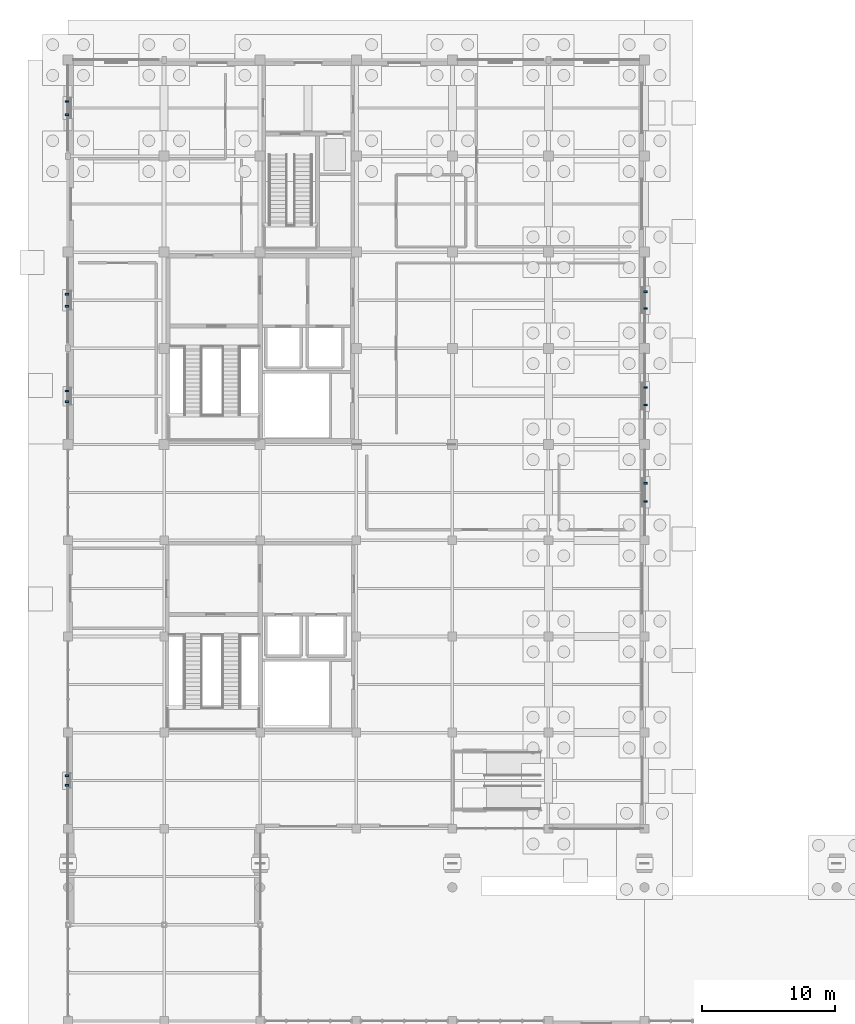
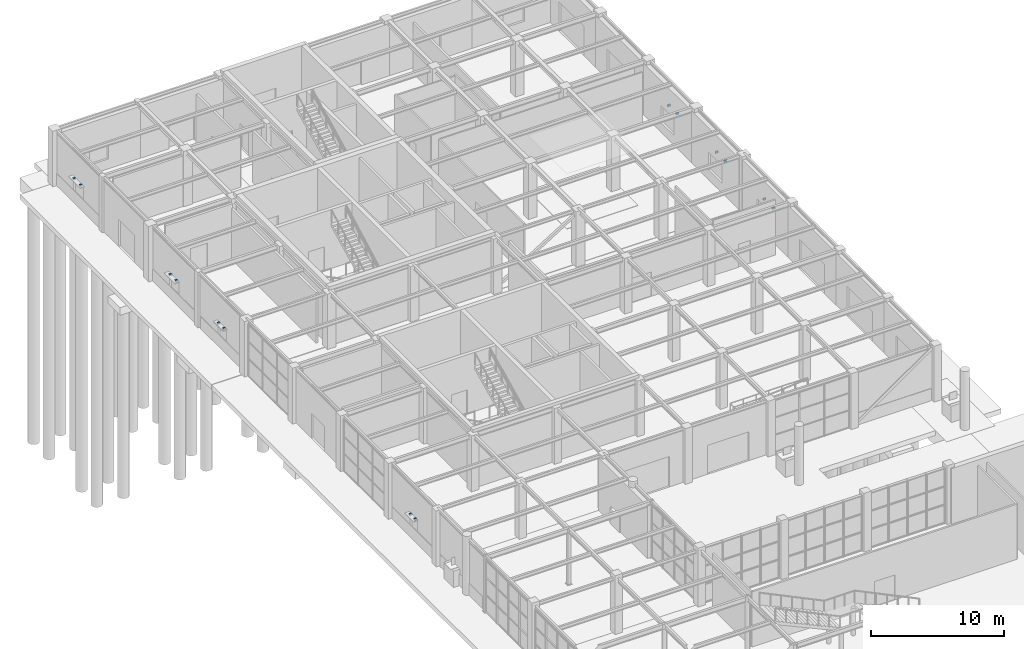
# One storey, part 67 of 75: 14 discrete accessories.
"""IFC4 building model written with IfcOpenShell, lengths in metres."""

from ifc_helpers import new_model, si_unit, direction, frame, origin, origin_2d, place, context, subcontext, project, spatial, rectangle, extrude, material, type_object, element, save


model = new_model("IFC4")

# Units and contexts
model_context = context("Model", 3, precision=1e-05, world=origin(), true_north=direction((0.0, 1.0)))
body_context = subcontext(model_context, "Body", "Model", "MODEL_VIEW")
ifc_project = project(units=[si_unit("LENGTHUNIT", "METRE"), si_unit("AREAUNIT", "SQUARE_METRE"), si_unit("VOLUMEUNIT", "CUBIC_METRE"), si_unit("PLANEANGLEUNIT", "RADIAN"), si_unit("MASSUNIT", "GRAM", prefix="KILO")], contexts=[model_context])

# Site, building, storey
site_placement = place(None, origin())
site = spatial("IfcSite", under=ifc_project, at=site_placement, CompositionType="ELEMENT")
building_placement = place(site_placement, origin())
building = spatial("IfcBuilding", under=site, at=building_placement, Name="Leyfeld Transit Interchange", CompositionType="ELEMENT")
storey_placement = place(building_placement, origin())
storey = spatial("IfcBuildingStorey", under=building, at=storey_placement, Name="L00", CompositionType="ELEMENT", Elevation=0.0)

# Discrete accessories
ifc_material = material(Name="Galvanised steel S275JR", Category="steel")
discrete_accessory_type = type_object("IfcDiscreteAccessoryType", Name="ACC-BRK-STL", PredefinedType="BRACKET", material=ifc_material)
for number, where, z_axis, x_axis, name in (
    (1, (-0.080078125, 68.048095703125, 2.080078125), (0.0, 0.0, 1.0), (0.0, 1.0, 0.0), "Solar Fin Bracket 001L"),
    (2, (-0.080078125, 68.751953125, 2.080078125), (0.0, 0.0, 1.0), (0.0, 1.0, 0.0), "Solar Fin Bracket 001R"),
    (3, (-0.080078125, 96.800048828125, 2.1298828125), (0.0, 0.0, 1.0), (0.0, 1.0, 0.0), "Solar Fin Bracket 002L"),
    (4, (-0.080078125, 97.60009765625, 2.1298828125), (0.0, 0.0, 1.0), (0.0, 1.0, 0.0), "Solar Fin Bracket 002R"),
    (5, (-0.080078125, 103.951904296875, 2.18017578125), (0.0, 0.0, 1.0), (0.0, 1.0, 0.0), "Solar Fin Bracket 003L"),
    (6, (-0.080078125, 104.847900390625, 2.18017578125), (0.0, 0.0, 1.0), (0.0, 1.0, 0.0), "Solar Fin Bracket 003R"),
    (7, (-0.080078125, 118.303955078125, 2.22998046875), (0.0, 0.0, 1.0), (0.0, 1.0, 0.0), "Solar Fin Bracket 004L"),
    (8, (-0.080078125, 119.2958984375, 2.22998046875), (0.0, 0.0, 1.0), (0.0, 1.0, 0.0), "Solar Fin Bracket 004R"),
    (9, (43.280029296875, 105.02392578125, 2.43017578125), (0.0, 0.0, 1.0), (0.0, -1.0, 0.0), "Solar Fin Bracket 005L"),
    (10, (43.280029296875, 103.77587890625, 2.43017578125), (0.0, 0.0, 1.0), (0.0, -1.0, 0.0), "Solar Fin Bracket 005R"),
    (11, (43.280029296875, 97.85595703125, 2.47998046875), (0.0, 0.0, 1.0), (0.0, -1.0, 0.0), "Solar Fin Bracket 006L"),
    (12, (43.280029296875, 96.5439453125, 2.47998046875), (0.0, 0.0, 1.0), (0.0, -1.0, 0.0), "Solar Fin Bracket 006R"),
    (13, (43.280029296875, 90.68798828125, 2.5302734375), (0.0, 0.0, 1.0), (0.0, -1.0, 0.0), "Solar Fin Bracket 007L"),
    (14, (43.280029296875, 89.31201171875, 2.5302734375), (0.0, 0.0, 1.0), (0.0, -1.0, 0.0), "Solar Fin Bracket 007R"),
):
    element("IfcDiscreteAccessory", number, at=place(storey_placement, frame(where, z_axis=z_axis, x_axis=x_axis)), inside=storey, type_object=discrete_accessory_type, Name=name, PredefinedType="BRACKET", context=body_context, shape_type="SweptSolid", body=[
        extrude(rectangle(XDim=0.139892578125, YDim=0.239990234375, at=origin_2d()), origin(), (0.0, 0.0, 1.0), 0.159912109375),
    ])

save(model, "model.ifc")
